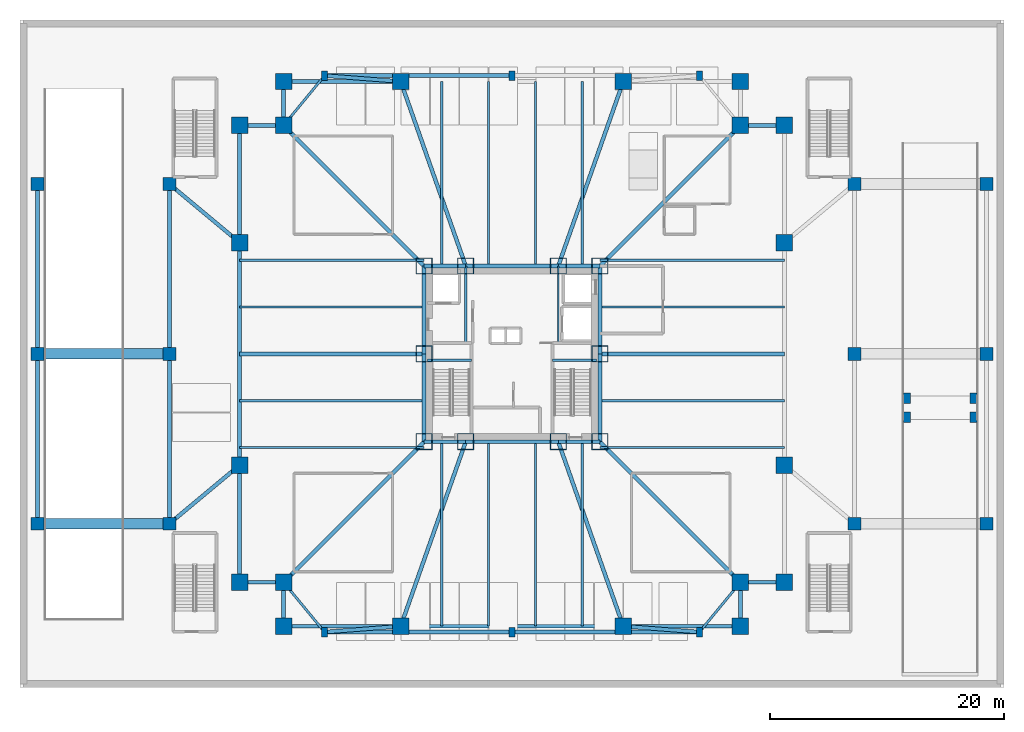
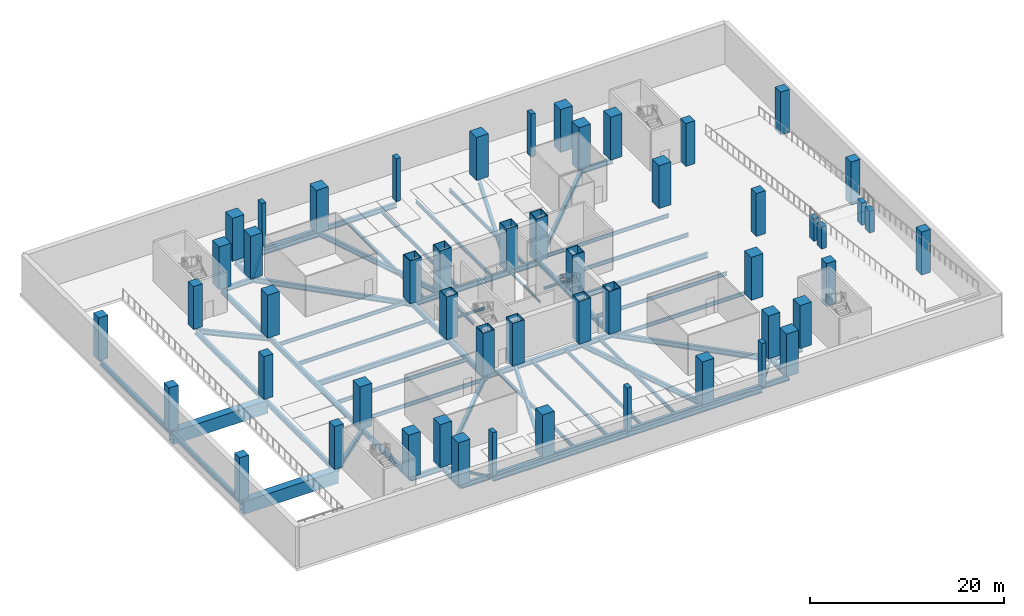
# One storey, part 1 of 14: 71 beams, 52 columns.
"""IFC4 building model written with IfcOpenShell, lengths in metres."""

from ifc_helpers import new_model, si_unit, direction, frame, origin, origin_2d, place, context, subcontext, project, spatial, rectangle, hollow_rectangle, i_section, extrude, material, material_profile, profile_set, type_object, element, save


model = new_model("IFC4")

# Units and contexts
model_context = context("Model", 3, precision=1e-05, world=origin(), true_north=direction((0.0, 1.0)))
body_context = subcontext(model_context, "Body", "Model", "MODEL_VIEW")
ifc_project = project(units=[si_unit("LENGTHUNIT", "METRE"), si_unit("AREAUNIT", "SQUARE_METRE"), si_unit("VOLUMEUNIT", "CUBIC_METRE"), si_unit("PLANEANGLEUNIT", "RADIAN"), si_unit("MASSUNIT", "GRAM", prefix="KILO")], contexts=[model_context])

# Site, building, storey
site_placement = place(None, origin())
site = spatial("IfcSite", under=ifc_project, at=site_placement, CompositionType="ELEMENT")
building_placement = place(site_placement, origin())
building = spatial("IfcBuilding", under=site, at=building_placement, Name="Trevonay Congress Spire", CompositionType="ELEMENT")
storey_placement = place(building_placement, frame((0.0, 0.0, -5.39990234375)))
storey = spatial("IfcBuildingStorey", under=building, at=storey_placement, Name="B1", CompositionType="ELEMENT", Elevation=-5.39990234375)

# Columns
ifc_material_1 = material(Name="Steel ASTM A572 Grade 50", Category="steel")
ifc_material_profile_1 = material_profile(ifc_material_1, hollow_rectangle(XDim=1.39990234375, YDim=1.39990234375, WallThickness=0.06005859375, at=origin_2d()), Name="BOX 1400x1400x60")
ifc_profile_set_1 = profile_set([ifc_material_profile_1], Name="Steel ASTM A572 Grade 50")
column_type_1 = type_object("IfcColumnType", Name="COL-CORE-BOX1400", PredefinedType="COLUMN", material=ifc_profile_set_1)
for number, where, z_axis, x_axis, name in (
    (1, (-7.5, -7.5, 0.0), (0.0, 0.0, 1.0), (1.0, 0.0, 0.0), "B1 column C01 at CC-SW"),
    (2, (-3.949951171875, -7.5, 0.0), (0.0, 0.0, 1.0), (1.0, 0.0, 0.0), "B1 column C01 at CC-SMW"),
    (3, (3.949951171875, -7.5, 0.0), (0.0, 0.0, 1.0), (1.0, 0.0, 0.0), "B1 column C01 at CC-SME"),
    (4, (7.5, -7.5, 0.0), (0.0, 0.0, 1.0), (1.0, 0.0, 0.0), "B1 column C01 at CC-SE"),
    (5, (7.5, 0.0, 0.0), (0.0, 0.0, 1.0), (1.0, 0.0, 0.0), "B1 column C01 at CC-E"),
    (6, (7.5, 7.5, 0.0), (0.0, 0.0, 1.0), (1.0, 0.0, 0.0), "B1 column C01 at CC-NE"),
    (7, (3.949951171875, 7.5, 0.0), (0.0, 0.0, 1.0), (1.0, 0.0, 0.0), "B1 column C01 at CC-NME"),
    (8, (-3.949951171875, 7.5, 0.0), (0.0, 0.0, 1.0), (1.0, 0.0, 0.0), "B1 column C01 at CC-NMW"),
    (9, (-7.5, 7.5, 0.0), (0.0, 0.0, 1.0), (1.0, 0.0, 0.0), "B1 column C01 at CC-NW"),
    (10, (-7.5, 0.0, 0.0), (0.0, 0.0, 1.0), (1.0, 0.0, 0.0), "B1 column C01 at CC-W"),
):
    element("IfcColumn", number, at=place(storey_placement, frame(where, z_axis=z_axis, x_axis=x_axis)), inside=storey, type_object=column_type_1, Name=name, PredefinedType="COLUMN", context=body_context, shape_type="SweptSolid", body=[
        extrude(hollow_rectangle(XDim=1.39990234375, YDim=1.39990234375, WallThickness=0.06005859375, at=origin_2d()), origin(), (0.0, 0.0, 1.0), 5.39990234375),
    ])
ifc_material_2 = material(Name="Concrete C60/75", Category="concrete")
ifc_material_profile_2 = material_profile(ifc_material_2, rectangle(XDim=1.39990234375, YDim=1.39990234375, at=origin_2d()), Name="RC 1400x1400")
ifc_profile_set_2 = profile_set([ifc_material_profile_2], Name="Concrete C60/75")
column_type_2 = type_object("IfcColumnType", Name="COL-MEGA-RC1400", PredefinedType="COLUMN", material=ifc_profile_set_2)
for number, where, z_axis, x_axis, name in (
    (11, (-19.5, -23.25, 0.0), (0.0, 0.0, 1.0), (1.0, 0.0, 0.0), "B1 column C06 at TM-S1"),
    (12, (-9.5, -23.25, 0.0), (0.0, 0.0, 1.0), (1.0, 0.0, 0.0), "B1 column C06 at TM-S2"),
    (13, (9.5, -23.25, 0.0), (0.0, 0.0, 1.0), (1.0, 0.0, 0.0), "B1 column C06 at TM-S5"),
    (14, (19.5, -23.25, 0.0), (0.0, 0.0, 1.0), (1.0, 0.0, 0.0), "B1 column C06 at TM-S6"),
    (15, (-19.5, 23.25, 0.0), (0.0, 0.0, 1.0), (1.0, 0.0, 0.0), "B1 column C06 at TM-N1"),
    (16, (-9.5, 23.25, 0.0), (0.0, 0.0, 1.0), (1.0, 0.0, 0.0), "B1 column C06 at TM-N2"),
    (17, (9.5, 23.25, 0.0), (0.0, 0.0, 1.0), (1.0, 0.0, 0.0), "B1 column C06 at TM-N5"),
    (18, (19.5, 23.25, 0.0), (0.0, 0.0, 1.0), (1.0, 0.0, 0.0), "B1 column C06 at TM-N6"),
    (19, (-23.25, -19.5, 0.0), (0.0, 0.0, 1.0), (1.0, 0.0, 0.0), "B1 column C06 at TM-W1"),
    (20, (-23.25, -9.5, 0.0), (0.0, 0.0, 1.0), (1.0, 0.0, 0.0), "B1 column C06 at TM-W2"),
    (21, (-23.25, 9.5, 0.0), (0.0, 0.0, 1.0), (1.0, 0.0, 0.0), "B1 column C06 at TM-W5"),
    (22, (-23.25, 19.5, 0.0), (0.0, 0.0, 1.0), (1.0, 0.0, 0.0), "B1 column C06 at TM-W6"),
    (23, (23.25, -19.5, 0.0), (0.0, 0.0, 1.0), (1.0, 0.0, 0.0), "B1 column C06 at TM-E1"),
    (24, (23.25, -9.5, 0.0), (0.0, 0.0, 1.0), (1.0, 0.0, 0.0), "B1 column C06 at TM-E2"),
    (25, (23.25, 9.5, 0.0), (0.0, 0.0, 1.0), (1.0, 0.0, 0.0), "B1 column C06 at TM-E5"),
    (26, (23.25, 19.5, 0.0), (0.0, 0.0, 1.0), (1.0, 0.0, 0.0), "B1 column C06 at TM-E6"),
    (27, (-19.5, -19.5, 0.0), (0.0, 0.0, 1.0), (1.0, 0.0, 0.0), "B1 column C06 at TM-CSW"),
    (28, (19.5, -19.5, 0.0), (0.0, 0.0, 1.0), (1.0, 0.0, 0.0), "B1 column C06 at TM-CSE"),
    (29, (19.5, 19.5, 0.0), (0.0, 0.0, 1.0), (1.0, 0.0, 0.0), "B1 column C06 at TM-CNE"),
    (30, (-19.5, 19.5, 0.0), (0.0, 0.0, 1.0), (1.0, 0.0, 0.0), "B1 column C06 at TM-CNW"),
):
    element("IfcColumn", number, at=place(storey_placement, frame(where, z_axis=z_axis, x_axis=x_axis)), inside=storey, type_object=column_type_2, Name=name, PredefinedType="COLUMN", context=body_context, shape_type="SweptSolid", body=[
        extrude(rectangle(XDim=1.39990234375, YDim=1.39990234375, at=origin_2d()), origin(), (0.0, 0.0, 1.0), 5.39990234375),
    ])
ifc_material_profile_3 = material_profile(ifc_material_2, rectangle(XDim=0.5, YDim=0.800048828125, at=origin_2d()), Name="RC 800x500")
ifc_profile_set_3 = profile_set([ifc_material_profile_3], Name="Concrete C60/75")
column_type_3 = type_object("IfcColumnType", Name="COL-PIL-RC800X500", PredefinedType="PILASTER", material=ifc_profile_set_3)
for number, where, z_axis, x_axis, name in (
    (31, (-16.0, -23.75, 0.0), (0.0, 0.0, 1.0), (1.0, 0.0, 0.0), "B1 column C13 at PS-1"),
    (32, (0.0, -23.75, 0.0), (0.0, 0.0, 1.0), (1.0, 0.0, 0.0), "B1 column C13 at PS-2"),
    (33, (16.0, -23.75, 0.0), (0.0, 0.0, 1.0), (1.0, 0.0, 0.0), "B1 column C13 at PS-3"),
    (34, (-16.0, 23.75, 0.0), (0.0, 0.0, 1.0), (1.0, 0.0, 0.0), "B1 column C13 at PN-1"),
    (35, (0.0, 23.75, 0.0), (0.0, 0.0, 1.0), (1.0, 0.0, 0.0), "B1 column C13 at PN-2"),
    (36, (16.0, 23.75, 0.0), (0.0, 0.0, 1.0), (1.0, 0.0, 0.0), "B1 column C13 at PN-3"),
):
    element("IfcColumn", number, at=place(storey_placement, frame(where, z_axis=z_axis, x_axis=x_axis)), inside=storey, type_object=column_type_3, Name=name, PredefinedType="PILASTER", context=body_context, shape_type="SweptSolid", body=[
        extrude(rectangle(XDim=0.5, YDim=0.800048828125, at=origin_2d()), origin(), (0.0, 0.0, 1.0), 5.39990234375),
    ])
ifc_material_profile_4 = material_profile(ifc_material_2, rectangle(XDim=1.10009765625, YDim=1.10009765625, at=origin_2d()), Name="RC 1100x1100")
ifc_profile_set_4 = profile_set([ifc_material_profile_4], Name="Concrete C60/75")
column_type_4 = type_object("IfcColumnType", Name="COL-POD-RC1100", PredefinedType="COLUMN", material=ifc_profile_set_4)
for number, where, z_axis, x_axis, name in (
    (37, (-29.25, -14.5, 0.0), (0.0, 0.0, 1.0), (1.0, 0.0, 0.0), "B1 column C07 at PW-1"),
    (38, (-29.25, 0.0, 0.0), (0.0, 0.0, 1.0), (1.0, 0.0, 0.0), "B1 column C07 at PW-2"),
    (39, (-29.25, 14.5, 0.0), (0.0, 0.0, 1.0), (1.0, 0.0, 0.0), "B1 column C07 at PW-3"),
    (40, (29.25, -14.5, 0.0), (0.0, 0.0, 1.0), (1.0, 0.0, 0.0), "B1 column C07 at PE-1"),
    (41, (29.25, 0.0, 0.0), (0.0, 0.0, 1.0), (1.0, 0.0, 0.0), "B1 column C07 at PE-2"),
    (42, (29.25, 14.5, 0.0), (0.0, 0.0, 1.0), (1.0, 0.0, 0.0), "B1 column C07 at PE-3"),
    (43, (-40.5, -14.5, 0.0), (0.0, 0.0, 1.0), (1.0, 0.0, 0.0), "B1 column C07 at EXW-1"),
    (44, (-40.5, 0.0, 0.0), (0.0, 0.0, 1.0), (1.0, 0.0, 0.0), "B1 column C07 at EXW-2"),
    (45, (-40.5, 14.5, 0.0), (0.0, 0.0, 1.0), (1.0, 0.0, 0.0), "B1 column C07 at EXW-3"),
    (46, (40.5, -14.5, 0.0), (0.0, 0.0, 1.0), (1.0, 0.0, 0.0), "B1 column C07 at EXE-1"),
    (47, (40.5, 0.0, 0.0), (0.0, 0.0, 1.0), (1.0, 0.0, 0.0), "B1 column C07 at EXE-2"),
    (48, (40.5, 14.5, 0.0), (0.0, 0.0, 1.0), (1.0, 0.0, 0.0), "B1 column C07 at EXE-3"),
):
    element("IfcColumn", number, at=place(storey_placement, frame(where, z_axis=z_axis, x_axis=x_axis)), inside=storey, type_object=column_type_4, Name=name, PredefinedType="COLUMN", context=body_context, shape_type="SweptSolid", body=[
        extrude(rectangle(XDim=1.10009765625, YDim=1.10009765625, at=origin_2d()), origin(), (0.0, 0.0, 1.0), 5.39990234375),
    ])
ifc_material_profile_5 = material_profile(ifc_material_2, rectangle(XDim=0.60009765625, YDim=0.89990234375, at=origin_2d()), Name="RC 900x600")
ifc_profile_set_5 = profile_set([ifc_material_profile_5], Name="Concrete C60/75")
column_type_5 = type_object("IfcColumnType", Name="COL-RAMP-RC900X600", PredefinedType="COLUMN", material=ifc_profile_set_5)
for number, where, z_axis, x_axis, name in (
    (49, (33.699951171875, -3.800048828125, 0.0), (0.0, 0.0, 1.0), (1.0, 0.0, 0.0), "Car park ramp RM02 landing support pier 1"),
    (50, (39.39990234375, -3.800048828125, 0.0), (0.0, 0.0, 1.0), (1.0, 0.0, 0.0), "Car park ramp RM02 landing support pier 2"),
    (51, (33.699951171875, -5.39990234375, 0.0), (0.0, 0.0, 1.0), (1.0, 0.0, 0.0), "Car park ramp RM02 landing support pier 3"),
    (52, (39.39990234375, -5.39990234375, 0.0), (0.0, 0.0, 1.0), (1.0, 0.0, 0.0), "Car park ramp RM02 landing support pier 4"),
):
    element("IfcColumn", number, at=place(storey_placement, frame(where, z_axis=z_axis, x_axis=x_axis)), inside=storey, type_object=column_type_5, Name=name, PredefinedType="COLUMN", context=body_context, shape_type="SweptSolid", body=[
        extrude(rectangle(XDim=0.60009765625, YDim=0.89990234375, at=origin_2d()), origin(), (0.0, 0.0, 1.0), 2.77001953125),
    ])

# Beams
ifc_material_profile_6 = material_profile(ifc_material_1, i_section(OverallWidth=0.324951171875, OverallDepth=0.615966796875, WebThickness=0.013916015625, FlangeThickness=0.021484375, FilletRadius=0.01806640625, at=origin_2d()), Name="W610x174")
ifc_profile_set_6 = profile_set([ifc_material_profile_6], Name="Steel ASTM A572 Grade 50")
beam_type_1 = type_object("IfcBeamType", Name="BM-GIRD-W610X174", PredefinedType="BEAM", material=ifc_profile_set_6)
for number, where, z_axis, x_axis, name in (
    (53, (-19.5, -23.25, -0.658203125), (1.0, 0.0, 0.0), (0.0, 1.0, 0.0), "B1 structural beam BM-B1-MS1"),
    (54, (9.5, -23.25, -0.658203125), (1.0, 0.0, 0.0), (0.0, 1.0, 0.0), "B1 structural beam BM-B1-MS3"),
):
    element("IfcBeam", number, at=place(storey_placement, frame(where, z_axis=z_axis, x_axis=x_axis)), inside=storey, type_object=beam_type_1, Name=name, PredefinedType="BEAM", context=body_context, shape_type="SweptSolid", body=[
        extrude(i_section(OverallWidth=0.324951171875, OverallDepth=0.615966796875, WebThickness=0.013916015625, FlangeThickness=0.021484375, FilletRadius=0.01806640625, at=origin_2d()), origin(), (0.0, 0.0, 1.0), 10.0),
    ])
for number, where, z_axis, x_axis, name in (
    (55, (-19.5, -23.25, -0.658203125), (0.0, 1.0, 0.0), (-1.0, 0.0, 0.0), "B1 structural beam BM-B1-CSW"),
    (56, (19.5, -23.25, -0.658203125), (0.0, 1.0, 0.0), (-1.0, 0.0, 0.0), "B1 structural beam BM-B1-CSE"),
):
    element("IfcBeam", number, at=place(storey_placement, frame(where, z_axis=z_axis, x_axis=x_axis)), inside=storey, type_object=beam_type_1, Name=name, PredefinedType="BEAM", context=body_context, shape_type="SweptSolid", body=[
        extrude(i_section(OverallWidth=0.324951171875, OverallDepth=0.615966796875, WebThickness=0.013916015625, FlangeThickness=0.021484375, FilletRadius=0.01806640625, at=origin_2d()), origin(), (0.0, 0.0, 1.0), 3.75),
    ])
beam_1_placement = place(storey_placement, frame((-19.5, 23.25, -0.658203125), z_axis=(1.0, 0.0, 0.0), x_axis=(0.0, 1.0, 0.0)))
element("IfcBeam", 57, at=beam_1_placement, inside=storey, type_object=beam_type_1, Name="B1 structural beam BM-B1-MN1", PredefinedType="BEAM", context=body_context, shape_type="SweptSolid", body=[
    extrude(i_section(OverallWidth=0.324951171875, OverallDepth=0.615966796875, WebThickness=0.013916015625, FlangeThickness=0.021484375, FilletRadius=0.01806640625, at=origin_2d()), origin(), (0.0, 0.0, 1.0), 10.0),
])
beam_2_placement = place(storey_placement, frame((-19.5, 23.25, -0.658203125), z_axis=(0.0, -1.0, 0.0), x_axis=(1.0, 0.0, 0.0)))
element("IfcBeam", 58, at=beam_2_placement, inside=storey, type_object=beam_type_1, Name="B1 structural beam BM-B1-CNW", PredefinedType="BEAM", context=body_context, shape_type="SweptSolid", body=[
    extrude(i_section(OverallWidth=0.324951171875, OverallDepth=0.615966796875, WebThickness=0.013916015625, FlangeThickness=0.021484375, FilletRadius=0.01806640625, at=origin_2d()), origin(), (0.0, 0.0, 1.0), 3.75),
])
for number, where, z_axis, x_axis, name in (
    (59, (-23.25, -19.5, -0.658203125), (0.0, 1.0, 0.0), (-1.0, 0.0, 0.0), "B1 structural beam BM-B1-MW1"),
    (60, (-23.25, 9.5, -0.658203125), (0.0, 1.0, 0.0), (-1.0, 0.0, 0.0), "B1 structural beam BM-B1-MW3"),
):
    element("IfcBeam", number, at=place(storey_placement, frame(where, z_axis=z_axis, x_axis=x_axis)), inside=storey, type_object=beam_type_1, Name=name, PredefinedType="BEAM", context=body_context, shape_type="SweptSolid", body=[
        extrude(i_section(OverallWidth=0.324951171875, OverallDepth=0.615966796875, WebThickness=0.013916015625, FlangeThickness=0.021484375, FilletRadius=0.01806640625, at=origin_2d()), origin(), (0.0, 0.0, 1.0), 10.0),
    ])
for number, where, z_axis, x_axis, name in (
    (61, (-23.25, -19.5, -0.658203125), (1.0, 0.0, 0.0), (0.0, 1.0, 0.0), "B1 structural beam BM-B1-CWS"),
    (62, (-23.25, 19.5, -0.658203125), (1.0, 0.0, 0.0), (0.0, 1.0, 0.0), "B1 structural beam BM-B1-CWN"),
    (63, (23.25, -19.5, -0.658203125), (-1.0, 0.0, 0.0), (0.0, -1.0, 0.0), "B1 structural beam BM-B1-CES"),
    (64, (23.25, 19.5, -0.658203125), (-1.0, 0.0, 0.0), (0.0, -1.0, 0.0), "B1 structural beam BM-B1-CEN"),
):
    element("IfcBeam", number, at=place(storey_placement, frame(where, z_axis=z_axis, x_axis=x_axis)), inside=storey, type_object=beam_type_1, Name=name, PredefinedType="BEAM", context=body_context, shape_type="SweptSolid", body=[
        extrude(i_section(OverallWidth=0.324951171875, OverallDepth=0.615966796875, WebThickness=0.013916015625, FlangeThickness=0.021484375, FilletRadius=0.01806640625, at=origin_2d()), origin(), (0.0, 0.0, 1.0), 3.75),
    ])
for number, where, z_axis, x_axis, name in (
    (65, (-7.5, -7.5, -0.658203125), (-0.707106781187, -0.707106781187, 0.0), (0.707106781187, -0.707106781187, 0.0), "B1 structural beam BM-B1-RAD-SW"),
    (66, (7.5, -7.5, -0.658203125), (0.707106781187, -0.707106781187, 0.0), (0.707106781187, 0.707106781187, 0.0), "B1 structural beam BM-B1-RAD-SE"),
    (67, (7.5, 7.5, -0.658203125), (0.707106781187, 0.707106781187, 0.0), (-0.707106781187, 0.707106781187, 0.0), "B1 structural beam BM-B1-RAD-NE"),
    (68, (-7.5, 7.5, -0.658203125), (-0.707106781187, 0.707106781187, 0.0), (-0.707106781187, -0.707106781187, 0.0), "B1 structural beam BM-B1-RAD-NW"),
):
    element("IfcBeam", number, at=place(storey_placement, frame(where, z_axis=z_axis, x_axis=x_axis)), inside=storey, type_object=beam_type_1, Name=name, PredefinedType="BEAM", context=body_context, shape_type="SweptSolid", body=[
        extrude(i_section(OverallWidth=0.324951171875, OverallDepth=0.615966796875, WebThickness=0.013916015625, FlangeThickness=0.021484375, FilletRadius=0.01806640625, at=origin_2d()), origin(), (0.0, 0.0, 1.0), 16.970458984375),
    ])
for number, where, z_axis, x_axis, name in (
    (69, (-7.5, 0.0, -0.658203125), (-1.0, 0.0, 0.0), (0.0, -1.0, 0.0), "B1 structural beam BM-B1-RAD-WC"),
    (70, (7.5, 0.0, -0.658203125), (1.0, 0.0, 0.0), (0.0, 1.0, 0.0), "B1 structural beam BM-B1-RAD-EC"),
):
    element("IfcBeam", number, at=place(storey_placement, frame(where, z_axis=z_axis, x_axis=x_axis)), inside=storey, type_object=beam_type_1, Name=name, PredefinedType="BEAM", context=body_context, shape_type="SweptSolid", body=[
        extrude(i_section(OverallWidth=0.324951171875, OverallDepth=0.615966796875, WebThickness=0.013916015625, FlangeThickness=0.021484375, FilletRadius=0.01806640625, at=origin_2d()), origin(), (0.0, 0.0, 1.0), 15.75),
    ])
for number, where, z_axis, x_axis, name in (
    (71, (-3.949951171875, -7.5, -0.658203125), (-0.332352826786, -0.943155129619, 0.0), (0.943155129619, -0.332352826786, 0.0), "B1 structural beam BM-B1-RAD-S1"),
    (72, (3.949951171875, -7.5, -0.658203125), (0.332352826786, -0.943155129619, 0.0), (0.943155129619, 0.332352826786, 0.0), "B1 structural beam BM-B1-RAD-S2"),
    (73, (-3.949951171875, 7.5, -0.658203125), (-0.332352826786, 0.943155129619, 0.0), (-0.943155129619, -0.332352826786, 0.0), "B1 structural beam BM-B1-RAD-N1"),
    (74, (3.949951171875, 7.5, -0.658203125), (0.332352826786, 0.943155129619, 0.0), (-0.943155129619, 0.332352826786, 0.0), "B1 structural beam BM-B1-RAD-N2"),
):
    element("IfcBeam", number, at=place(storey_placement, frame(where, z_axis=z_axis, x_axis=x_axis)), inside=storey, type_object=beam_type_1, Name=name, PredefinedType="BEAM", context=body_context, shape_type="SweptSolid", body=[
        extrude(i_section(OverallWidth=0.324951171875, OverallDepth=0.615966796875, WebThickness=0.013916015625, FlangeThickness=0.021484375, FilletRadius=0.01806640625, at=origin_2d()), origin(), (0.0, 0.0, 1.0), 16.69921875),
    ])
for number, where, z_axis, x_axis, name in (
    (75, (-29.25, -14.5, -0.658203125), (0.0, 1.0, 0.0), (-1.0, 0.0, 0.0), "B1 structural beam BM-B1-POD-WL"),
    (76, (-29.25, 0.0, -0.658203125), (0.0, 1.0, 0.0), (-1.0, 0.0, 0.0), "B1 structural beam BM-B1-POD-WH"),
):
    element("IfcBeam", number, at=place(storey_placement, frame(where, z_axis=z_axis, x_axis=x_axis)), inside=storey, type_object=beam_type_1, Name=name, PredefinedType="BEAM", context=body_context, shape_type="SweptSolid", body=[
        extrude(i_section(OverallWidth=0.324951171875, OverallDepth=0.615966796875, WebThickness=0.013916015625, FlangeThickness=0.021484375, FilletRadius=0.01806640625, at=origin_2d()), origin(), (0.0, 0.0, 1.0), 14.5),
    ])
for number, where, z_axis, x_axis, name in (
    (77, (-23.25, -9.5, -0.658203125), (-0.768221279597, -0.640184399664, 0.0), (0.640184399664, -0.768221279597, 0.0), "B1 structural beam BM-B1-POD-WT1"),
    (78, (-23.25, 9.5, -0.658203125), (-0.768221279597, 0.640184399664, 0.0), (-0.640184399664, -0.768221279597, 0.0), "B1 structural beam BM-B1-POD-WT2"),
):
    element("IfcBeam", number, at=place(storey_placement, frame(where, z_axis=z_axis, x_axis=x_axis)), inside=storey, type_object=beam_type_1, Name=name, PredefinedType="BEAM", context=body_context, shape_type="SweptSolid", body=[
        extrude(i_section(OverallWidth=0.324951171875, OverallDepth=0.615966796875, WebThickness=0.013916015625, FlangeThickness=0.021484375, FilletRadius=0.01806640625, at=origin_2d()), origin(), (0.0, 0.0, 1.0), 7.810302734375),
    ])
for number, where, z_axis, x_axis, name in (
    (79, (-16.0, -23.75, -0.658203125), (1.0, 0.0, 0.0), (0.0, 1.0, 0.0), "B1 structural beam BM-B1-PIL-S1"),
    (80, (0.0, -23.75, -0.658203125), (1.0, 0.0, 0.0), (0.0, 1.0, 0.0), "B1 structural beam BM-B1-PIL-S2"),
    (81, (-16.0, 23.75, -0.658203125), (1.0, 0.0, 0.0), (0.0, 1.0, 0.0), "B1 structural beam BM-B1-PIL-N1"),
):
    element("IfcBeam", number, at=place(storey_placement, frame(where, z_axis=z_axis, x_axis=x_axis)), inside=storey, type_object=beam_type_1, Name=name, PredefinedType="BEAM", context=body_context, shape_type="SweptSolid", body=[
        extrude(i_section(OverallWidth=0.324951171875, OverallDepth=0.615966796875, WebThickness=0.013916015625, FlangeThickness=0.021484375, FilletRadius=0.01806640625, at=origin_2d()), origin(), (0.0, 0.0, 1.0), 16.0),
    ])
for number, where, z_axis, x_axis, name in (
    (82, (-9.5, -23.25, -0.658203125), (-0.997054485502, -0.076696498885, 0.0), (0.076696498885, -0.997054485502, 0.0), "B1 structural beam BM-B1-PIL-TS1"),
    (83, (9.5, -23.25, -0.658203125), (0.997054485502, -0.076696498885, 0.0), (0.076696498885, 0.997054485502, 0.0), "B1 structural beam BM-B1-PIL-TS2"),
    (84, (-9.5, 23.25, -0.658203125), (-0.997054485502, 0.076696498885, 0.0), (-0.076696498885, -0.997054485502, 0.0), "B1 structural beam BM-B1-PIL-TN1"),
):
    element("IfcBeam", number, at=place(storey_placement, frame(where, z_axis=z_axis, x_axis=x_axis)), inside=storey, type_object=beam_type_1, Name=name, PredefinedType="BEAM", context=body_context, shape_type="SweptSolid", body=[
        extrude(i_section(OverallWidth=0.324951171875, OverallDepth=0.615966796875, WebThickness=0.013916015625, FlangeThickness=0.021484375, FilletRadius=0.01806640625, at=origin_2d()), origin(), (0.0, 0.0, 1.0), 6.519287109375),
    ])
for number, where, z_axis, x_axis, name in (
    (85, (-40.5, -14.5, -0.658203125), (0.0, 1.0, 0.0), (-1.0, 0.0, 0.0), "B1 structural beam BM-B1-EXWL1"),
    (86, (-40.5, 0.0, -0.658203125), (0.0, 1.0, 0.0), (-1.0, 0.0, 0.0), "B1 structural beam BM-B1-EXWL2"),
):
    element("IfcBeam", number, at=place(storey_placement, frame(where, z_axis=z_axis, x_axis=x_axis)), inside=storey, type_object=beam_type_1, Name=name, PredefinedType="BEAM", context=body_context, shape_type="SweptSolid", body=[
        extrude(i_section(OverallWidth=0.324951171875, OverallDepth=0.615966796875, WebThickness=0.013916015625, FlangeThickness=0.021484375, FilletRadius=0.01806640625, at=origin_2d()), origin(), (0.0, 0.0, 1.0), 14.5),
    ])
ifc_material_profile_7 = material_profile(ifc_material_1, i_section(OverallWidth=0.3291015625, OverallDepth=0.635009765625, WebThickness=0.017822265625, FlangeThickness=0.031005859375, FilletRadius=0.01806640625, at=origin_2d()), Name="W610x241")
ifc_profile_set_7 = profile_set([ifc_material_profile_7], Name="Steel ASTM A572 Grade 50")
beam_type_2 = type_object("IfcBeamType", Name="BM-GIRD-W610X241", PredefinedType="BEAM", material=ifc_profile_set_7)
beam_3_placement = place(storey_placement, frame((-7.5, -7.5, -0.66748046875), z_axis=(1.0, 0.0, 0.0), x_axis=(0.0, 1.0, 0.0)))
element("IfcBeam", 87, at=beam_3_placement, inside=storey, type_object=beam_type_2, Name="B1 structural beam BM-B1-CR-S1", PredefinedType="BEAM", context=body_context, shape_type="SweptSolid", body=[
    extrude(i_section(OverallWidth=0.3291015625, OverallDepth=0.635009765625, WebThickness=0.017822265625, FlangeThickness=0.031005859375, FilletRadius=0.01806640625, at=origin_2d()), origin(), (0.0, 0.0, 1.0), 3.550048828125),
])
beam_4_placement = place(storey_placement, frame((-3.949951171875, -7.5, -0.66748046875), z_axis=(1.0, 0.0, 0.0), x_axis=(0.0, 1.0, 0.0)))
element("IfcBeam", 88, at=beam_4_placement, inside=storey, type_object=beam_type_2, Name="B1 structural beam BM-B1-CR-S2", PredefinedType="BEAM", context=body_context, shape_type="SweptSolid", body=[
    extrude(i_section(OverallWidth=0.3291015625, OverallDepth=0.635009765625, WebThickness=0.017822265625, FlangeThickness=0.031005859375, FilletRadius=0.01806640625, at=origin_2d()), origin(), (0.0, 0.0, 1.0), 7.89990234375),
])
for number, where, z_axis, x_axis, name in (
    (89, (3.949951171875, -7.5, -0.66748046875), (1.0, 0.0, 0.0), (0.0, 1.0, 0.0), "B1 structural beam BM-B1-CR-S3"),
    (90, (-7.5, 7.5, -0.66748046875), (1.0, 0.0, 0.0), (0.0, 1.0, 0.0), "B1 structural beam BM-B1-CR-N1"),
):
    element("IfcBeam", number, at=place(storey_placement, frame(where, z_axis=z_axis, x_axis=x_axis)), inside=storey, type_object=beam_type_2, Name=name, PredefinedType="BEAM", context=body_context, shape_type="SweptSolid", body=[
        extrude(i_section(OverallWidth=0.3291015625, OverallDepth=0.635009765625, WebThickness=0.017822265625, FlangeThickness=0.031005859375, FilletRadius=0.01806640625, at=origin_2d()), origin(), (0.0, 0.0, 1.0), 3.550048828125),
    ])
beam_5_placement = place(storey_placement, frame((-3.949951171875, 7.5, -0.66748046875), z_axis=(1.0, 0.0, 0.0), x_axis=(0.0, 1.0, 0.0)))
element("IfcBeam", 91, at=beam_5_placement, inside=storey, type_object=beam_type_2, Name="B1 structural beam BM-B1-CR-N2", PredefinedType="BEAM", context=body_context, shape_type="SweptSolid", body=[
    extrude(i_section(OverallWidth=0.3291015625, OverallDepth=0.635009765625, WebThickness=0.017822265625, FlangeThickness=0.031005859375, FilletRadius=0.01806640625, at=origin_2d()), origin(), (0.0, 0.0, 1.0), 7.89990234375),
])
beam_6_placement = place(storey_placement, frame((3.949951171875, 7.5, -0.66748046875), z_axis=(1.0, 0.0, 0.0), x_axis=(0.0, 1.0, 0.0)))
element("IfcBeam", 92, at=beam_6_placement, inside=storey, type_object=beam_type_2, Name="B1 structural beam BM-B1-CR-N3", PredefinedType="BEAM", context=body_context, shape_type="SweptSolid", body=[
    extrude(i_section(OverallWidth=0.3291015625, OverallDepth=0.635009765625, WebThickness=0.017822265625, FlangeThickness=0.031005859375, FilletRadius=0.01806640625, at=origin_2d()), origin(), (0.0, 0.0, 1.0), 3.550048828125),
])
for number, where, z_axis, x_axis, name in (
    (93, (-7.5, -7.5, -0.66748046875), (0.0, 1.0, 0.0), (-1.0, 0.0, 0.0), "B1 structural beam BM-B1-CR-W1"),
    (94, (-7.5, 0.0, -0.66748046875), (0.0, 1.0, 0.0), (-1.0, 0.0, 0.0), "B1 structural beam BM-B1-CR-W2"),
    (95, (7.5, -7.5, -0.66748046875), (0.0, 1.0, 0.0), (-1.0, 0.0, 0.0), "B1 structural beam BM-B1-CR-E1"),
    (96, (7.5, 0.0, -0.66748046875), (0.0, 1.0, 0.0), (-1.0, 0.0, 0.0), "B1 structural beam BM-B1-CR-E2"),
):
    element("IfcBeam", number, at=place(storey_placement, frame(where, z_axis=z_axis, x_axis=x_axis)), inside=storey, type_object=beam_type_2, Name=name, PredefinedType="BEAM", context=body_context, shape_type="SweptSolid", body=[
        extrude(i_section(OverallWidth=0.3291015625, OverallDepth=0.635009765625, WebThickness=0.017822265625, FlangeThickness=0.031005859375, FilletRadius=0.01806640625, at=origin_2d()), origin(), (0.0, 0.0, 1.0), 7.5),
    ])
for number, where, z_axis, x_axis, name in (
    (97, (-9.5, -23.25, -0.66748046875), (1.0, 0.0, 0.0), (0.0, 1.0, 0.0), "B1 structural beam BM-B1-MS2"),
    (98, (-23.25, -9.5, -0.66748046875), (0.0, 1.0, 0.0), (-1.0, 0.0, 0.0), "B1 structural beam BM-B1-MW2"),
):
    element("IfcBeam", number, at=place(storey_placement, frame(where, z_axis=z_axis, x_axis=x_axis)), inside=storey, type_object=beam_type_2, Name=name, PredefinedType="BEAM", context=body_context, shape_type="SweptSolid", body=[
        extrude(i_section(OverallWidth=0.3291015625, OverallDepth=0.635009765625, WebThickness=0.017822265625, FlangeThickness=0.031005859375, FilletRadius=0.01806640625, at=origin_2d()), origin(), (0.0, 0.0, 1.0), 19.0),
    ])
ifc_material_profile_8 = material_profile(ifc_material_1, hollow_rectangle(XDim=0.89990234375, YDim=1.60009765625, WallThickness=0.06005859375, at=origin_2d()), Name="BOX 1600x900x60")
ifc_profile_set_8 = profile_set([ifc_material_profile_8], Name="Steel ASTM A572 Grade 50")
beam_type_3 = type_object("IfcBeamType", Name="BM-XFER-BOX1600", PredefinedType="BEAM", material=ifc_profile_set_8)
for number, where, z_axis, x_axis, name in (
    (99, (-29.25, -14.5, -1.150146484375), (-1.0, 0.0, 0.0), (0.0, -1.0, 0.0), "B1 structural beam BM-B1-EXW-S"),
    (100, (-29.25, 0.0, -1.150146484375), (-1.0, 0.0, 0.0), (0.0, -1.0, 0.0), "B1 structural beam BM-B1-EXW-C"),
):
    element("IfcBeam", number, at=place(storey_placement, frame(where, z_axis=z_axis, x_axis=x_axis)), inside=storey, type_object=beam_type_3, Name=name, PredefinedType="BEAM", context=body_context, shape_type="SweptSolid", body=[
        extrude(hollow_rectangle(XDim=0.89990234375, YDim=1.60009765625, WallThickness=0.06005859375, at=origin_2d()), origin(), (0.0, 0.0, 1.0), 11.25),
    ])
ifc_material_profile_9 = material_profile(ifc_material_1, i_section(OverallWidth=0.18994140625, OverallDepth=0.45703125, WebThickness=0.009033203125, FlangeThickness=0.014404296875, FilletRadius=0.013916015625, at=origin_2d()), Name="W460x74")
ifc_profile_set_9 = profile_set([ifc_material_profile_9], Name="Steel ASTM A572 Grade 50")
beam_type_4 = type_object("IfcBeamType", Name="JS-COMP-W460X74", PredefinedType="JOIST", material=ifc_profile_set_9)
for number, where, z_axis, x_axis, name in (
    (101, (-23.25, -8.0, -0.57861328125), (1.0, 0.0, 0.0), (0.0, 1.0, 0.0), "B1 structural beam JS-B1-WH1"),
    (102, (7.5, -8.0, -0.57861328125), (1.0, 0.0, 0.0), (0.0, 1.0, 0.0), "B1 structural beam JS-B1-EH1"),
    (103, (-23.25, -4.0, -0.57861328125), (1.0, 0.0, 0.0), (0.0, 1.0, 0.0), "B1 structural beam JS-B1-WH2"),
    (104, (7.5, -4.0, -0.57861328125), (1.0, 0.0, 0.0), (0.0, 1.0, 0.0), "B1 structural beam JS-B1-EH2"),
    (105, (-23.25, 4.0, -0.57861328125), (1.0, 0.0, 0.0), (0.0, 1.0, 0.0), "B1 structural beam JS-B1-WH3"),
    (106, (7.5, 4.0, -0.57861328125), (1.0, 0.0, 0.0), (0.0, 1.0, 0.0), "B1 structural beam JS-B1-EH3"),
    (107, (-23.25, 8.0, -0.57861328125), (1.0, 0.0, 0.0), (0.0, 1.0, 0.0), "B1 structural beam JS-B1-WH4"),
    (108, (7.5, 8.0, -0.57861328125), (1.0, 0.0, 0.0), (0.0, 1.0, 0.0), "B1 structural beam JS-B1-EH4"),
    (109, (-6.0, -23.25, -0.57861328125), (0.0, 1.0, 0.0), (-1.0, 0.0, 0.0), "B1 structural beam JS-B1-SH1"),
    (110, (-6.0, 7.5, -0.57861328125), (0.0, 1.0, 0.0), (-1.0, 0.0, 0.0), "B1 structural beam JS-B1-NH1"),
    (111, (-2.0, -23.25, -0.57861328125), (0.0, 1.0, 0.0), (-1.0, 0.0, 0.0), "B1 structural beam JS-B1-SH2"),
    (112, (-2.0, 7.5, -0.57861328125), (0.0, 1.0, 0.0), (-1.0, 0.0, 0.0), "B1 structural beam JS-B1-NH2"),
    (113, (2.0, -23.25, -0.57861328125), (0.0, 1.0, 0.0), (-1.0, 0.0, 0.0), "B1 structural beam JS-B1-SH3"),
    (114, (2.0, 7.5, -0.57861328125), (0.0, 1.0, 0.0), (-1.0, 0.0, 0.0), "B1 structural beam JS-B1-NH3"),
    (115, (6.0, -23.25, -0.57861328125), (0.0, 1.0, 0.0), (-1.0, 0.0, 0.0), "B1 structural beam JS-B1-SH4"),
    (116, (6.0, 7.5, -0.57861328125), (0.0, 1.0, 0.0), (-1.0, 0.0, 0.0), "B1 structural beam JS-B1-NH4"),
):
    element("IfcBeam", number, at=place(storey_placement, frame(where, z_axis=z_axis, x_axis=x_axis)), inside=storey, type_object=beam_type_4, Name=name, PredefinedType="JOIST", context=body_context, shape_type="SweptSolid", body=[
        extrude(i_section(OverallWidth=0.18994140625, OverallDepth=0.45703125, WebThickness=0.009033203125, FlangeThickness=0.014404296875, FilletRadius=0.013916015625, at=origin_2d()), origin(), (0.0, 0.0, 1.0), 15.75),
    ])
ifc_material_profile_10 = material_profile(ifc_material_1, i_section(OverallWidth=0.2041015625, OverallDepth=0.305908203125, WebThickness=0.008544921875, FlangeThickness=0.0146484375, FilletRadius=0.010986328125, at=origin_2d()), Name="W310x67")
ifc_profile_set_10 = profile_set([ifc_material_profile_10], Name="Steel ASTM A572 Grade 50")
beam_type_5 = type_object("IfcBeamType", Name="LN-CORE-W310X67", PredefinedType="LINTEL", material=ifc_profile_set_10)
beam_7_placement = place(storey_placement, frame((-3.949951171875, 1.0, -0.503173828125), z_axis=(0.0, 1.0, 0.0), x_axis=(-1.0, 0.0, 0.0)))
element("IfcBeam", 117, at=beam_7_placement, inside=storey, type_object=beam_type_5, Name="B1 structural beam LIN-B1-W", PredefinedType="LINTEL", context=body_context, shape_type="SweptSolid", body=[
    extrude(i_section(OverallWidth=0.2041015625, OverallDepth=0.305908203125, WebThickness=0.008544921875, FlangeThickness=0.0146484375, FilletRadius=0.010986328125, at=origin_2d()), origin(), (0.0, 0.0, 1.0), 6.5),
])
for number, where, z_axis, x_axis, name in (
    (118, (-7.199951171875, -0.550048828125, 2.346923828125), (1.0, 0.0, 0.0), (0.0, 1.0, 0.0), "B1 structural beam BM-B1-HL-ST1"),
    (119, (3.449951171875, -0.550048828125, 2.346923828125), (1.0, 0.0, 0.0), (0.0, 1.0, 0.0), "B1 structural beam BM-B1-HL-ST2"),
):
    element("IfcBeam", number, at=place(storey_placement, frame(where, z_axis=z_axis, x_axis=x_axis)), inside=storey, type_object=beam_type_5, Name=name, PredefinedType="LINTEL", context=body_context, shape_type="SweptSolid", body=[
        extrude(i_section(OverallWidth=0.2041015625, OverallDepth=0.305908203125, WebThickness=0.008544921875, FlangeThickness=0.0146484375, FilletRadius=0.010986328125, at=origin_2d()), origin(), (0.0, 0.0, 1.0), 3.75),
    ])
ifc_material_profile_11 = material_profile(ifc_material_1, i_section(OverallWidth=0.14794921875, OverallDepth=0.26611328125, WebThickness=0.007568359375, FlangeThickness=0.012939453125, FilletRadius=0.010009765625, at=origin_2d()), Name="W250x44.8")
ifc_profile_set_11 = profile_set([ifc_material_profile_11], Name="Steel ASTM A572 Grade 50")
beam_type_6 = type_object("IfcBeamType", Name="LN-DOOR-W250X45", PredefinedType="LINTEL", material=ifc_profile_set_11)
beam_8_placement = place(storey_placement, frame((3.949951171875, 1.0, -0.483154296875), z_axis=(0.0, 1.0, 0.0), x_axis=(-1.0, 0.0, 0.0)))
element("IfcBeam", 120, at=beam_8_placement, inside=storey, type_object=beam_type_6, Name="B1 structural beam LIN-B1-E", PredefinedType="LINTEL", context=body_context, shape_type="SweptSolid", body=[
    extrude(i_section(OverallWidth=0.14794921875, OverallDepth=0.26611328125, WebThickness=0.007568359375, FlangeThickness=0.012939453125, FilletRadius=0.010009765625, at=origin_2d()), origin(), (0.0, 0.0, 1.0), 6.5),
])
ifc_material_profile_12 = material_profile(ifc_material_1, i_section(OverallWidth=0.2041015625, OverallDepth=0.305908203125, WebThickness=0.008544921875, FlangeThickness=0.0146484375, FilletRadius=0.010986328125, at=origin_2d()), Name="W310x67")
ifc_profile_set_12 = profile_set([ifc_material_profile_12], Name="Steel ASTM A572 Grade 50")
beam_type_7 = type_object("IfcBeamType", Name="SPB-W310X67", PredefinedType="SPANDREL", material=ifc_profile_set_12)
for number, where, z_axis, x_axis, name in (
    (121, (-16.0, -23.75, -0.503173828125), (-0.635707252861, 0.771930235617, 0.0), (-0.771930235617, -0.635707252861, 0.0), "B1 structural beam SPB-B1-SW"),
    (122, (16.0, -23.75, -0.503173828125), (0.635707252861, 0.771930235617, 0.0), (-0.771930235617, 0.635707252861, 0.0), "B1 structural beam SPB-B1-SE"),
    (123, (-16.0, 23.75, -0.503173828125), (-0.635707252861, -0.771930235617, 0.0), (0.771930235617, -0.635707252861, 0.0), "B1 structural beam SPB-B1-NW"),
):
    element("IfcBeam", number, at=place(storey_placement, frame(where, z_axis=z_axis, x_axis=x_axis)), inside=storey, type_object=beam_type_7, Name=name, PredefinedType="SPANDREL", context=body_context, shape_type="SweptSolid", body=[
        extrude(i_section(OverallWidth=0.2041015625, OverallDepth=0.305908203125, WebThickness=0.008544921875, FlangeThickness=0.0146484375, FilletRadius=0.010986328125, at=origin_2d()), origin(), (0.0, 0.0, 1.0), 5.505615234375),
    ])

save(model, "model.ifc")
